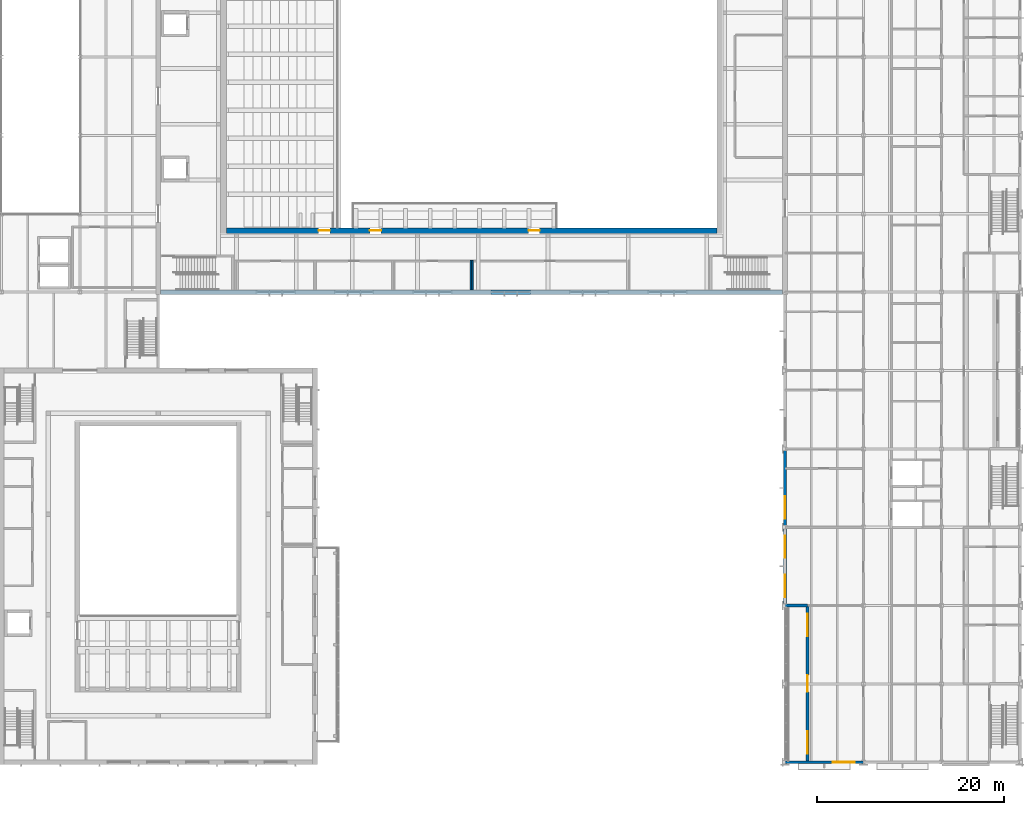
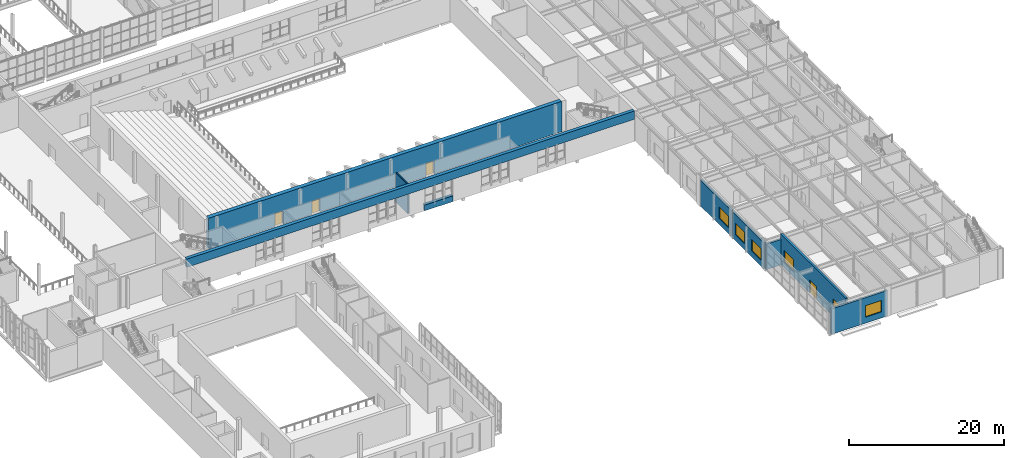
# One storey, part 73 of 127: 10 walls, 6 windows, 4 doors, 10 openings.
"""IFC4 building model written with IfcOpenShell, lengths in metres."""

from ifc_helpers import new_model, si_unit, direction, frame, frame_2d, origin, place, context, subcontext, project, spatial, rectangle, extrude, material, layer, layer_set, type_object, element, fill, save


model = new_model("IFC4")

# Units and contexts
model_context = context("Model", 3, precision=1e-05, world=origin(), true_north=direction((0.0, 1.0)))
body_context = subcontext(model_context, "Body", "Model", "MODEL_VIEW")
ifc_project = project(units=[si_unit("LENGTHUNIT", "METRE"), si_unit("AREAUNIT", "SQUARE_METRE"), si_unit("VOLUMEUNIT", "CUBIC_METRE"), si_unit("PLANEANGLEUNIT", "RADIAN"), si_unit("MASSUNIT", "GRAM", prefix="KILO")], contexts=[model_context])

# Site, building, storey
site_placement = place(None, origin())
site = spatial("IfcSite", under=ifc_project, at=site_placement, CompositionType="ELEMENT")
building_placement = place(site_placement, origin())
building = spatial("IfcBuilding", under=site, at=building_placement, Name="Ljudholm Concert House", CompositionType="ELEMENT")
storey_placement = place(building_placement, frame((0.0, 0.0, 5.39990234375)))
storey = spatial("IfcBuildingStorey", under=building, at=storey_placement, Name="L01", CompositionType="ELEMENT", Elevation=5.39990234375)

# Walls
ifc_material_1 = material(Name="Gypsum board on steel studs", Category="steel")
ifc_layer_1 = layer(ifc_material_1, 0.14990234375)
ifc_layer_set_1 = layer_set([ifc_layer_1], Name="Gypsum board on steel studs")
wall_type_1 = type_object("IfcWallType", Name="GYPSUM PARTITION 150", PredefinedType="PARTITIONING", material=ifc_layer_set_1)
for number, where, z_axis, x_axis, name in (
    (1, (62.875, 54.64990234375, 0.0), (0.0, 0.0, 1.0), (0.0, 1.0, 0.0), "Accessible WC partition"),
    (2, (62.72509765625, 54.64990234375, 0.0), (0.0, 0.0, 1.0), (0.0, 1.0, 0.0), "Hall Bar partition"),
):
    element("IfcWall", number, at=place(storey_placement, frame(where, z_axis=z_axis, x_axis=x_axis)), inside=storey, type_object=wall_type_1, Name=name, PredefinedType="PARTITIONING", context=body_context, shape_type="SweptSolid", body=[
        extrude(rectangle(XDim=3.150146484375, YDim=0.14990234375, at=frame_2d((1.5751953125, 0.0))), origin(), (0.0, 0.0, 1.0), 4.550048828125),
    ])

# Wall, openings, windows
ifc_material_2 = material(Name="Precast concrete 5,000 psi", Category="concrete")
ifc_layer_2 = layer(ifc_material_2, 0.300048828125)
ifc_layer_set_2 = layer_set([ifc_layer_2], Name="Precast concrete 5,000 psi")
wall_type_2 = type_object("IfcWallType", Name="PRECAST PANEL WALL 300", PredefinedType="SOLIDWALL", material=ifc_layer_set_2)
wall_1_placement = place(storey_placement, frame((96.39990234375, 20.986572265625, 0.0), z_axis=(0.0, 0.0, 1.0), x_axis=(0.0, 1.0, 0.0)))
wall_1 = element("IfcWall", 3, at=wall_1_placement, inside=storey, type_object=wall_type_2, Name="Facade wall", PredefinedType="SOLIDWALL", context=body_context, shape_type="SweptSolid", body=[
    extrude(rectangle(XDim=8.02685546875, YDim=0.300048828125, at=frame_2d((4.013427734375, 0.0))), origin(), (0.0, 0.0, 1.0), 4.086669921875),
])
opening_1_placement = place(wall_1_placement, frame((0.71337890625, 0.0, 0.949951171875)))
opening_1 = element("IfcOpeningElement", 4, at=opening_1_placement, cuts=wall_1, Name="Opening X-W01-002", PredefinedType="OPENING", context=body_context, shape_type="SweptSolid", body=[
    extrude(rectangle(XDim=2.39990234375, YDim=1.800048828125, at=frame_2d((1.199951171875, 0.89990234375))), frame((0.0, 0.159912109375, 0.0), z_axis=(0.0, -1.0, 0.0), x_axis=(1.0, 0.0, 0.0)), (0.0, 0.0, 1.0), 0.320068359375),
])
opening_2_placement = place(wall_1_placement, frame((4.913330078125, 0.0, 0.949951171875)))
opening_2 = element("IfcOpeningElement", 5, at=opening_2_placement, cuts=wall_1, Name="Opening X-W01-003", PredefinedType="OPENING", context=body_context, shape_type="SweptSolid", body=[
    extrude(rectangle(XDim=2.39990234375, YDim=1.800048828125, at=frame_2d((1.199951171875, 0.89990234375))), frame((0.0, 0.159912109375, 0.0), z_axis=(0.0, -1.0, 0.0), x_axis=(1.0, 0.0, 0.0)), (0.0, 0.0, 1.0), 0.320068359375),
])
ifc_material_3 = material(Name="Aluminium frame, impact glazing", Category="aluminium")
window_type = type_object("IfcWindowType", Name="CASEMENT WINDOW 2400x1800", PartitioningType="DOUBLE_PANEL_VERTICAL", PredefinedType="WINDOW", material=ifc_material_3)
window_1_placement = place(opening_1_placement, origin())
window_1 = element("IfcWindow", 6, at=window_1_placement, inside=storey, type_object=window_type, Name="Window", OverallHeight=1.800048828125, OverallWidth=2.39990234375, PartitioningType="DOUBLE_PANEL_VERTICAL", PredefinedType="WINDOW", context=body_context, shape_type="SweptSolid", body=[
    extrude(rectangle(XDim=2.39990234375, YDim=1.800048828125, at=frame_2d((1.199951171875, 0.89990234375))), frame((0.0, 0.030029296875, 0.0), z_axis=(0.0, -1.0, 0.0), x_axis=(1.0, 0.0, 0.0)), (0.0, 0.0, 1.0), 0.06005859375),
])
fill(opening_1, window_1)
window_2_placement = place(opening_2_placement, origin())
window_2 = element("IfcWindow", 7, at=window_2_placement, inside=storey, type_object=window_type, Name="Window", OverallHeight=1.800048828125, OverallWidth=2.39990234375, PartitioningType="DOUBLE_PANEL_VERTICAL", PredefinedType="WINDOW", context=body_context, shape_type="SweptSolid", body=[
    extrude(rectangle(XDim=2.39990234375, YDim=1.800048828125, at=frame_2d((1.199951171875, 0.89990234375))), frame((0.0, 0.030029296875, 0.0), z_axis=(0.0, -1.0, 0.0), x_axis=(1.0, 0.0, 0.0)), (0.0, 0.0, 1.0), 0.06005859375),
])
fill(opening_2, window_2)

# Wall, opening, window
wall_2_placement = place(storey_placement, frame((96.39990234375, 29.38671875, 0.0), z_axis=(0.0, 0.0, 1.0), x_axis=(0.0, 1.0, 0.0)))
wall_2 = element("IfcWall", 8, at=wall_2_placement, inside=storey, type_object=wall_type_2, Name="Facade wall", PredefinedType="SOLIDWALL", context=body_context, shape_type="SweptSolid", body=[
    extrude(rectangle(XDim=8.026611328125, YDim=0.300048828125, at=frame_2d((4.01318359375, 0.0))), origin(), (0.0, 0.0, 1.0), 4.086669921875),
])
opening_3_placement = place(wall_2_placement, frame((0.71337890625, 0.0, 0.949951171875)))
opening_3 = element("IfcOpeningElement", 9, at=opening_3_placement, cuts=wall_2, Name="Opening X-W01-004", PredefinedType="OPENING", context=body_context, shape_type="SweptSolid", body=[
    extrude(rectangle(XDim=2.39990234375, YDim=1.800048828125, at=frame_2d((1.199951171875, 0.89990234375))), frame((0.0, 0.159912109375, 0.0), z_axis=(0.0, -1.0, 0.0), x_axis=(1.0, 0.0, 0.0)), (0.0, 0.0, 1.0), 0.320068359375),
])
window_3_placement = place(opening_3_placement, origin())
window_3 = element("IfcWindow", 10, at=window_3_placement, inside=storey, type_object=window_type, Name="Window", OverallHeight=1.800048828125, OverallWidth=2.39990234375, PartitioningType="DOUBLE_PANEL_VERTICAL", PredefinedType="WINDOW", context=body_context, shape_type="SweptSolid", body=[
    extrude(rectangle(XDim=2.39990234375, YDim=1.800048828125, at=frame_2d((1.199951171875, 0.89990234375))), frame((0.0, 0.030029296875, 0.0), z_axis=(0.0, -1.0, 0.0), x_axis=(1.0, 0.0, 0.0)), (0.0, 0.0, 1.0), 0.06005859375),
])
fill(opening_3, window_3)

wall_3_placement = place(storey_placement, frame((96.408203125, 4.0, 0.0), z_axis=(0.0, 0.0, 1.0), x_axis=(1.0, 0.0, 0.0)))
wall_3 = element("IfcWall", 11, at=wall_3_placement, inside=storey, type_object=wall_type_2, Name="Facade wall", PredefinedType="SOLIDWALL", context=body_context, shape_type="SweptSolid", body=[
    extrude(rectangle(XDim=8.39990234375, YDim=0.300048828125, at=frame_2d((4.199951171875, 0.0))), origin(), (0.0, 0.0, 1.0), 4.008056640625),
])
opening_4_placement = place(wall_3_placement, frame((5.091796875, 0.0, 0.949951171875)))
opening_4 = element("IfcOpeningElement", 12, at=opening_4_placement, cuts=wall_3, Name="Opening X-W01-001", PredefinedType="OPENING", context=body_context, shape_type="SweptSolid", body=[
    extrude(rectangle(XDim=2.39990234375, YDim=1.800048828125, at=frame_2d((1.199951171875, 0.89990234375))), frame((0.0, 0.159912109375, 0.0), z_axis=(0.0, -1.0, 0.0), x_axis=(1.0, 0.0, 0.0)), (0.0, 0.0, 1.0), 0.320068359375),
])
window_4_placement = place(opening_4_placement, origin())
window_4 = element("IfcWindow", 13, at=window_4_placement, inside=storey, type_object=window_type, Name="Window", OverallHeight=1.800048828125, OverallWidth=2.39990234375, PartitioningType="DOUBLE_PANEL_VERTICAL", PredefinedType="WINDOW", context=body_context, shape_type="SweptSolid", body=[
    extrude(rectangle(XDim=2.39990234375, YDim=1.800048828125, at=frame_2d((1.199951171875, 0.89990234375))), frame((0.0, 0.030029296875, 0.0), z_axis=(0.0, -1.0, 0.0), x_axis=(1.0, 0.0, 0.0)), (0.0, 0.0, 1.0), 0.06005859375),
])
fill(opening_4, window_4)

# Wall, openings, windows, door
wall_4_placement = place(storey_placement, frame((98.800048828125, 4.0, 0.0), z_axis=(0.0, 0.0, 1.0), x_axis=(0.0, 1.0, 0.0)))
wall_4 = element("IfcWall", 14, at=wall_4_placement, inside=storey, type_object=wall_type_2, Name="Loggia wall", PredefinedType="SOLIDWALL", context=body_context, shape_type="SweptSolid", body=[
    extrude(rectangle(XDim=16.800048828125, YDim=0.300048828125, at=frame_2d((8.39990234375, 0.0))), origin(), (0.0, 0.0, 1.0), 4.800048828125),
])
opening_5_placement = place(wall_4_placement, frame((7.550048828125, 0.0, 0.0)))
opening_5 = element("IfcOpeningElement", 15, at=opening_5_placement, cuts=wall_4, Name="Opening D-W01-044", PredefinedType="OPENING", context=body_context, shape_type="SweptSolid", body=[
    extrude(rectangle(XDim=1.800048828125, YDim=2.10009765625, at=frame_2d((0.89990234375, 1.050048828125))), frame((0.0, 0.159912109375, 0.0), z_axis=(0.0, -1.0, 0.0), x_axis=(1.0, 0.0, 0.0)), (0.0, 0.0, 1.0), 0.320068359375),
])
opening_6_placement = place(wall_4_placement, frame((0.89990234375, 0.0, 0.949951171875)))
opening_6 = element("IfcOpeningElement", 16, at=opening_6_placement, cuts=wall_4, Name="Opening X-W01-013", PredefinedType="OPENING", context=body_context, shape_type="SweptSolid", body=[
    extrude(rectangle(XDim=2.39990234375, YDim=1.800048828125, at=frame_2d((1.199951171875, 0.89990234375))), frame((0.0, 0.159912109375, 0.0), z_axis=(0.0, -1.0, 0.0), x_axis=(1.0, 0.0, 0.0)), (0.0, 0.0, 1.0), 0.320068359375),
])
opening_7_placement = place(wall_4_placement, frame((13.5, 0.0, 0.949951171875)))
opening_7 = element("IfcOpeningElement", 17, at=opening_7_placement, cuts=wall_4, Name="Opening X-W01-014", PredefinedType="OPENING", context=body_context, shape_type="SweptSolid", body=[
    extrude(rectangle(XDim=2.39990234375, YDim=1.800048828125, at=frame_2d((1.199951171875, 0.89990234375))), frame((0.0, 0.159912109375, 0.0), z_axis=(0.0, -1.0, 0.0), x_axis=(1.0, 0.0, 0.0)), (0.0, 0.0, 1.0), 0.320068359375),
])
window_5_placement = place(opening_6_placement, origin())
window_5 = element("IfcWindow", 18, at=window_5_placement, inside=storey, type_object=window_type, Name="Window", OverallHeight=1.800048828125, OverallWidth=2.39990234375, PartitioningType="DOUBLE_PANEL_VERTICAL", PredefinedType="WINDOW", context=body_context, shape_type="SweptSolid", body=[
    extrude(rectangle(XDim=2.39990234375, YDim=1.800048828125, at=frame_2d((1.199951171875, 0.89990234375))), frame((0.0, 0.030029296875, 0.0), z_axis=(0.0, -1.0, 0.0), x_axis=(1.0, 0.0, 0.0)), (0.0, 0.0, 1.0), 0.06005859375),
])
fill(opening_6, window_5)
window_6_placement = place(opening_7_placement, origin())
window_6 = element("IfcWindow", 19, at=window_6_placement, inside=storey, type_object=window_type, Name="Window", OverallHeight=1.800048828125, OverallWidth=2.39990234375, PartitioningType="DOUBLE_PANEL_VERTICAL", PredefinedType="WINDOW", context=body_context, shape_type="SweptSolid", body=[
    extrude(rectangle(XDim=2.39990234375, YDim=1.800048828125, at=frame_2d((1.199951171875, 0.89990234375))), frame((0.0, 0.030029296875, 0.0), z_axis=(0.0, -1.0, 0.0), x_axis=(1.0, 0.0, 0.0)), (0.0, 0.0, 1.0), 0.06005859375),
])
fill(opening_7, window_6)
ifc_material_4 = material(Name="Hollow metal door in steel frame", Category="steel")
door_type_1 = type_object("IfcDoorType", Name="DOUBLE DOOR 1800x2100 EXTERNAL", OperationType="DOUBLE_DOOR_SINGLE_SWING", PredefinedType="DOOR", material=ifc_material_4)
door_1_placement = place(opening_5_placement, origin())
door_1 = element("IfcDoor", 20, at=door_1_placement, inside=storey, type_object=door_type_1, Name="Loggia door", OperationType="DOUBLE_DOOR_SINGLE_SWING", OverallHeight=2.10009765625, OverallWidth=1.800048828125, PredefinedType="DOOR", context=body_context, shape_type="SweptSolid", body=[
    extrude(rectangle(XDim=1.800048828125, YDim=2.10009765625, at=frame_2d((0.89990234375, 1.050048828125))), frame((0.0, 0.02490234375, 0.0), z_axis=(0.0, -1.0, 0.0), x_axis=(1.0, 0.0, 0.0)), (0.0, 0.0, 1.0), 0.050048828125),
])
fill(opening_5, door_1)

# Walls
wall_5_placement = place(storey_placement, frame((96.408203125, 20.800048828125, 0.0), z_axis=(0.0, 0.0, 1.0), x_axis=(1.0, 0.0, 0.0)))
element("IfcWall", 21, at=wall_5_placement, inside=storey, type_object=wall_type_2, Name="Loggia wall", PredefinedType="SOLIDWALL", context=body_context, shape_type="SweptSolid", body=[
    extrude(rectangle(XDim=2.391845703125, YDim=0.300048828125, at=frame_2d((1.19580078125, 0.0))), origin(), (0.0, 0.0, 1.0), 4.008056640625),
])
ifc_material_5 = material(Name="Concrete 6,500 psi", Category="concrete")
ifc_layer_3 = layer(ifc_material_5, 0.5)
ifc_layer_set_3 = layer_set([ifc_layer_3], Name="Concrete 6,500 psi")
wall_type_3 = type_object("IfcWallType", Name="RC WALL 500", PredefinedType="SOLIDWALL", material=ifc_layer_set_3)
wall_6_placement = place(storey_placement, frame((64.89990234375, 54.39990234375, 0.0), z_axis=(0.0, 0.0, 1.0), x_axis=(1.0, 0.0, 0.0)))
element("IfcWall", 22, at=wall_6_placement, inside=storey, type_object=wall_type_3, Name="Outer wall S", PredefinedType="SOLIDWALL", context=body_context, shape_type="SweptSolid", body=[
    extrude(rectangle(XDim=4.2001953125, YDim=0.5, at=frame_2d((2.10009765625, 0.0))), origin(), (0.0, 0.0, 1.0), 0.900146484375),
])
wall_7_placement = place(storey_placement, frame((29.449951171875, 54.39990234375, 3.5), z_axis=(0.0, 0.0, 1.0), x_axis=(1.0, 0.0, 0.0)))
element("IfcWall", 23, at=wall_7_placement, inside=storey, type_object=wall_type_3, Name="Outer wall S", PredefinedType="SOLIDWALL", context=body_context, shape_type="SweptSolid", body=[
    extrude(rectangle(XDim=66.699951171875, YDim=0.5, at=frame_2d((33.35009765625, 0.0))), origin(), (0.0, 0.0, 1.0), 1.300048828125),
])

# Wall, openings, doors
ifc_material_6 = material(Name="Concrete 6,500 psi", Category="concrete")
ifc_layer_4 = layer(ifc_material_6, 0.60009765625)
ifc_layer_set_4 = layer_set([ifc_layer_4], Name="Concrete 6,500 psi")
wall_type_4 = type_object("IfcWallType", Name="RC WALL 600", PredefinedType="SOLIDWALL", material=ifc_layer_set_4)
wall_8_placement = place(storey_placement, frame((36.5, 61.0, 0.0), z_axis=(0.0, 0.0, 1.0), x_axis=(1.0, 0.0, 0.0)))
wall_8 = element("IfcWall", 24, at=wall_8_placement, inside=storey, type_object=wall_type_4, Name="Inner box wall S", PredefinedType="SOLIDWALL", context=body_context, shape_type="SweptSolid", body=[
    extrude(rectangle(XDim=52.60009765625, YDim=0.60009765625, at=frame_2d((26.300048828125, 0.0))), origin(), (0.0, 0.0, 1.0), 4.800048828125),
])
opening_8_placement = place(wall_8_placement, frame((9.89990234375, 0.0, 0.0)))
opening_8 = element("IfcOpeningElement", 25, at=opening_8_placement, cuts=wall_8, Name="Opening D-H01-018", PredefinedType="OPENING", context=body_context, shape_type="SweptSolid", body=[
    extrude(rectangle(XDim=1.199951171875, YDim=2.10009765625, at=frame_2d((0.60009765625, 1.050048828125))), frame((0.0, 0.31005859375, 0.0), z_axis=(0.0, -1.0, 0.0), x_axis=(1.0, 0.0, 0.0)), (0.0, 0.0, 1.0), 0.6201171875),
])
opening_9_placement = place(wall_8_placement, frame((15.39990234375, 0.0, 0.0)))
opening_9 = element("IfcOpeningElement", 26, at=opening_9_placement, cuts=wall_8, Name="Opening D-H01-019", PredefinedType="OPENING", context=body_context, shape_type="SweptSolid", body=[
    extrude(rectangle(XDim=1.199951171875, YDim=2.10009765625, at=frame_2d((0.60009765625, 1.050048828125))), frame((0.0, 0.31005859375, 0.0), z_axis=(0.0, -1.0, 0.0), x_axis=(1.0, 0.0, 0.0)), (0.0, 0.0, 1.0), 0.6201171875),
])
opening_10_placement = place(wall_8_placement, frame((32.39990234375, 0.0, 0.0)))
opening_10 = element("IfcOpeningElement", 27, at=opening_10_placement, cuts=wall_8, Name="Opening D-H01-020", PredefinedType="OPENING", context=body_context, shape_type="SweptSolid", body=[
    extrude(rectangle(XDim=1.199951171875, YDim=2.10009765625, at=frame_2d((0.60009765625, 1.050048828125))), frame((0.0, 0.31005859375, 0.0), z_axis=(0.0, -1.0, 0.0), x_axis=(1.0, 0.0, 0.0)), (0.0, 0.0, 1.0), 0.6201171875),
])
ifc_material_7 = material(Name="Hollow metal door in steel frame", Category="steel")
door_type_2 = type_object("IfcDoorType", Name="SWING DOOR 1200x2100", OperationType="SINGLE_SWING_LEFT", PredefinedType="DOOR", material=ifc_material_7)
door_2_placement = place(opening_8_placement, origin())
door_2 = element("IfcDoor", 28, at=door_2_placement, inside=storey, type_object=door_type_2, Name="Hall door", OperationType="SINGLE_SWING_RIGHT", OverallHeight=2.10009765625, OverallWidth=1.199951171875, PredefinedType="DOOR", context=body_context, shape_type="SweptSolid", body=[
    extrude(rectangle(XDim=1.199951171875, YDim=2.10009765625, at=frame_2d((0.60009765625, 1.050048828125))), frame((0.0, 0.02490234375, 0.0), z_axis=(0.0, -1.0, 0.0), x_axis=(1.0, 0.0, 0.0)), (0.0, 0.0, 1.0), 0.050048828125),
])
fill(opening_8, door_2)
door_3_placement = place(opening_9_placement, origin())
door_3 = element("IfcDoor", 29, at=door_3_placement, inside=storey, type_object=door_type_2, Name="Hall door", OperationType="SINGLE_SWING_RIGHT", OverallHeight=2.10009765625, OverallWidth=1.199951171875, PredefinedType="DOOR", context=body_context, shape_type="SweptSolid", body=[
    extrude(rectangle(XDim=1.199951171875, YDim=2.10009765625, at=frame_2d((0.60009765625, 1.050048828125))), frame((0.0, 0.02490234375, 0.0), z_axis=(0.0, -1.0, 0.0), x_axis=(1.0, 0.0, 0.0)), (0.0, 0.0, 1.0), 0.050048828125),
])
fill(opening_9, door_3)
door_4_placement = place(opening_10_placement, origin())
door_4 = element("IfcDoor", 30, at=door_4_placement, inside=storey, type_object=door_type_2, Name="Hall door", OperationType="SINGLE_SWING_LEFT", OverallHeight=2.10009765625, OverallWidth=1.199951171875, PredefinedType="DOOR", context=body_context, shape_type="SweptSolid", body=[
    extrude(rectangle(XDim=1.199951171875, YDim=2.10009765625, at=frame_2d((0.60009765625, 1.050048828125))), frame((0.0, 0.02490234375, 0.0), z_axis=(0.0, -1.0, 0.0), x_axis=(1.0, 0.0, 0.0)), (0.0, 0.0, 1.0), 0.050048828125),
])
fill(opening_10, door_4)

save(model, "model.ifc")
